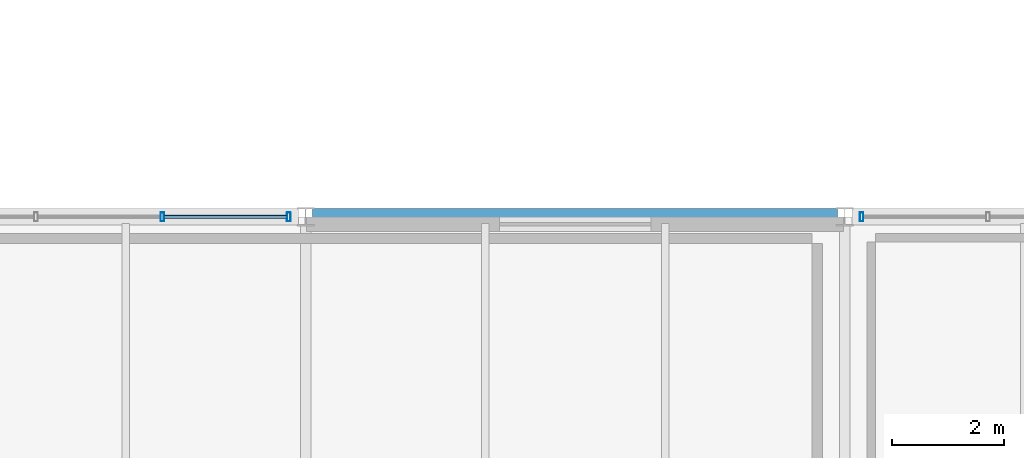
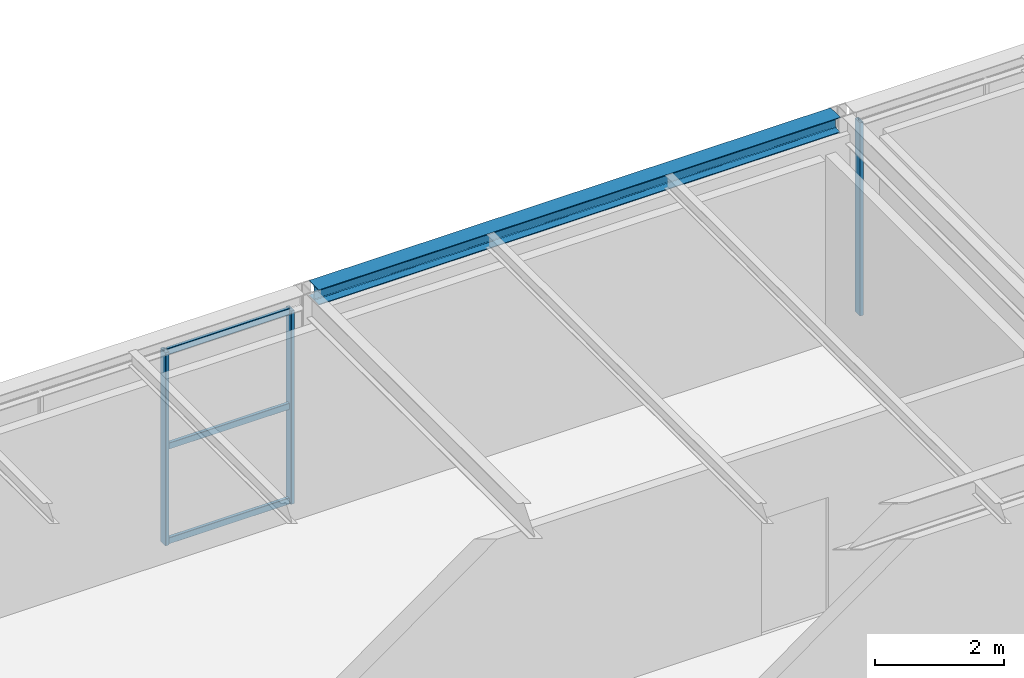
# One storey, part 36 of 50: 6 members, 1 beam, 2 elements without a shape of their own.
"""IFC4 building model written with IfcOpenShell, lengths in metres."""

import ifcopenshell
import ifcopenshell.guid

model = None  # the IFC model being written
_history = None  # IfcOwnerHistory: only IFC2X3 demands one
_inside = {}  # id of a spatial element -> (the spatial element, [elements in it])
_under = {}  # id of a project, library or spatial element -> (it, [spatial elements below it])
_declared = {}  # id of a project -> (the project, [libraries it declares])
_typed = {}  # id of a type object -> (the type object, [elements of that type])
_made_of = {}  # id of a material, layer set ... -> (it, [elements and type objects made of it])


def new_model(schema):
    """Start an empty IFC model of exactly this schema.

    Asked for "IFC4X3", IfcOpenShell would pick the latest addendum, in which some entities
    have other attributes; the version numbers below select the first issue.
    IFC2X3 requires an IfcOwnerHistory on every rooted entity: one is made here for all.
    """
    global model, _history
    if schema == "IFC4X3":
        model = ifcopenshell.file(schema_version=(4, 3, 0, 0))
    else:
        model = ifcopenshell.file(schema=schema)
    _inside.clear()
    _under.clear()
    _declared.clear()
    _typed.clear()
    _made_of.clear()
    _history = None
    if model.schema == "IFC2X3":
        org = make("IfcOrganization", Name="unknown")
        user = make(
            "IfcPersonAndOrganization",
            ThePerson=make("IfcPerson", FamilyName="unknown"),
            TheOrganization=org,
        )
        app = make(
            "IfcApplication",
            ApplicationDeveloper=org,
            Version="unknown",
            ApplicationFullName="unknown",
            ApplicationIdentifier="unknown",
        )
        _history = make(
            "IfcOwnerHistory",
            OwningUser=user,
            OwningApplication=app,
            ChangeAction="ADDED",
            CreationDate=0,
        )
    return model


def make(cls, **values):
    """One entity of the class cls with the attributes given. An attribute that is None is left unset."""
    return model.create_entity(
        cls, **{name: value for name, value in values.items() if value is not None}
    )


def rooted(cls, **values):
    """An entity with a GlobalId (a new one), such as an element, a storey or a relation."""
    return make(cls, GlobalId=ifcopenshell.guid.new(), OwnerHistory=_history, **values)


def si_unit(unit_type, name, prefix=None):
    """IfcSIUnit, for example si_unit("LENGTHUNIT", "METRE", prefix="MILLI")."""
    return make("IfcSIUnit", UnitType=unit_type, Prefix=prefix, Name=name)


def assignment(units):
    """IfcUnitAssignment: the units of a project."""
    return None if units is None else make("IfcUnitAssignment", Units=units)


def point(xyz):
    """IfcCartesianPoint."""
    return None if xyz is None else make("IfcCartesianPoint", Coordinates=xyz)


def direction(xyz):
    """IfcDirection."""
    return None if xyz is None else make("IfcDirection", DirectionRatios=xyz)


def frame(location, z_axis=None, x_axis=None):
    """IfcAxis2Placement3D, a coordinate frame: its origin and axes. An axis left out is left unset."""
    return make(
        "IfcAxis2Placement3D",
        Location=point(location),
        Axis=direction(z_axis),
        RefDirection=direction(x_axis),
    )


def frame_2d(location, x_axis=None):
    """IfcAxis2Placement2D, a coordinate frame in the plane: its origin and x axis."""
    return make(
        "IfcAxis2Placement2D", Location=point(location), RefDirection=direction(x_axis)
    )


def origin():
    """The frame at (0, 0, 0) with its axes left unset."""
    return frame((0.0, 0.0, 0.0))


def origin_2d():
    """The frame at (0, 0) in the plane with its x axis left unset."""
    return frame_2d((0.0, 0.0))


def place(relative_to, where):
    """IfcLocalPlacement: puts the frame where relative to a parent placement (None: the world)."""
    return make(
        "IfcLocalPlacement", PlacementRelTo=relative_to, RelativePlacement=where
    )


def context(
    kind, dimensions, precision=None, world=None, true_north=None, identifier=None
):
    """IfcGeometricRepresentationContext, for example the 3D "Model" context."""
    return make(
        "IfcGeometricRepresentationContext",
        ContextIdentifier=identifier,
        ContextType=kind,
        CoordinateSpaceDimension=dimensions,
        Precision=precision,
        WorldCoordinateSystem=world,
        TrueNorth=true_north,
    )


def subcontext(parent, identifier, kind, view, scale=None):
    """IfcGeometricRepresentationSubContext, for example "Body" below "Model"."""
    return make(
        "IfcGeometricRepresentationSubContext",
        ContextIdentifier=identifier,
        ContextType=kind,
        ParentContext=parent,
        TargetScale=scale,
        TargetView=view,
    )


def project(units=None, contexts=None):
    """IfcProject with its units and contexts."""
    return rooted(
        "IfcProject",
        Name="project",
        RepresentationContexts=contexts,
        UnitsInContext=assignment(units),
    )


def spatial(cls, under=None, at=None, **own):
    """A site, building, storey or space (cls), placed at a placement, below another one or the project."""
    s = rooted(cls, ObjectPlacement=at, **own)
    if under is not None:
        _under.setdefault(under.id(), (under, []))[1].append(s)
    return s


def profile(cls, at=None, kind="AREA", **sizes):
    """A parametric profile (cls). Its sizes go by their IFC names, for example OverallWidth=200.0."""
    return make(cls, ProfileType=kind, Position=at, **sizes)


def hollow_rectangle(**sizes):
    """IfcRectangleHollowProfileDef."""
    return profile("IfcRectangleHollowProfileDef", **sizes)


def i_section(**sizes):
    """IfcIShapeProfileDef."""
    return profile("IfcIShapeProfileDef", **sizes)


def extrude(swept, where, along, depth):
    """IfcExtrudedAreaSolid: the profile swept, set in the frame where, extruded along a direction by depth."""
    return make(
        "IfcExtrudedAreaSolid",
        SweptArea=swept,
        Position=where,
        ExtrudedDirection=direction(along),
        Depth=depth,
    )


def shape(context_of_items, identifier, shape_type, items):
    """IfcShapeRepresentation: the items that make up one representation, for example the "Body"."""
    return make(
        "IfcShapeRepresentation",
        ContextOfItems=context_of_items,
        RepresentationIdentifier=identifier,
        RepresentationType=shape_type,
        Items=items,
    )


def material(Name=None, Category=None):
    """IfcMaterial."""
    return make("IfcMaterial", Name=Name, Category=Category)


def material_profile(
    of_material, cross_section, Name=None, Category=None, Priority=None
):
    """IfcMaterialProfile: a cross section and its material."""
    return make(
        "IfcMaterialProfile",
        Name=Name,
        Material=of_material,
        Profile=cross_section,
        Priority=Priority,
        Category=Category,
    )


def profile_set(profiles, Name=None, composite=None):
    """IfcMaterialProfileSet."""
    return make(
        "IfcMaterialProfileSet",
        Name=Name,
        MaterialProfiles=profiles,
        CompositeProfile=composite,
    )


def made_of(thing, what):
    """Note that an element or type object is made of a material, layer set ...; save() writes the relation."""
    if what is not None:
        _made_of.setdefault(what.id(), (what, []))[1].append(thing)
    return thing


def type_object(cls, material=None, **own):
    """A type object (cls), such as IfcWallType, which elements share."""
    return made_of(rooted(cls, **own), material)


def element(
    cls,
    number,
    at=None,
    inside=None,
    cuts=None,
    type_object=None,
    material=None,
    context=None,
    identifier="Body",
    shape_type=None,
    held_by="IfcProductDefinitionShape",
    body=None,
    shapes=None,
    **own,
):
    """One element of the class cls, such as IfcWall. Its Tag is "e" and its number.

    at: its placement. inside: the storey or other place that contains it. cuts: it is an
    opening in that element (IfcRelVoidsElement). A single representation is given by context,
    identifier, shape_type and body (its items); several are given by shapes. held_by: the class
    of the entity that holds the representations. save() writes the other relations.
    """
    e = rooted(cls, Tag="e%d" % number, ObjectPlacement=at, **own)
    if body is not None:
        shapes = [shape(context, identifier, shape_type, body)]
    if shapes is not None:
        e.Representation = make(held_by, Representations=shapes)
    if inside is not None:
        _inside.setdefault(inside.id(), (inside, []))[1].append(e)
    if cuts is not None:
        rooted(
            "IfcRelVoidsElement", RelatingBuildingElement=cuts, RelatedOpeningElement=e
        )
    if type_object is not None:
        _typed.setdefault(type_object.id(), (type_object, []))[1].append(e)
    return made_of(e, material)


def aggregate(whole, parts):
    """IfcRelAggregates: a whole, such as a stair, and the parts it consists of."""
    return rooted("IfcRelAggregates", RelatingObject=whole, RelatedObjects=parts)


def save(model, path):
    """Write the relations noted so far, then the file.

    IfcRelAggregates (storeys below a building ...), IfcRelContainedInSpatialStructure (elements
    in a storey), IfcRelDefinesByType, IfcRelAssociatesMaterial and IfcRelDeclares: one each for
    every whole, place, type object, material and project.
    """
    for whole, parts in _under.values():
        aggregate(whole, parts)
    for where, things in _inside.values():
        rooted(
            "IfcRelContainedInSpatialStructure",
            RelatedElements=things,
            RelatingStructure=where,
        )
    for kind, things in _typed.values():
        rooted("IfcRelDefinesByType", RelatedObjects=things, RelatingType=kind)
    for what, things in _made_of.values():
        rooted("IfcRelAssociatesMaterial", RelatedObjects=things, RelatingMaterial=what)
    for by, libraries in _declared.values():
        rooted("IfcRelDeclares", RelatingContext=by, RelatedDefinitions=libraries)
    model.write(path)


model = new_model("IFC4")

# Units and contexts
model_context = context("Model", 3, precision=1e-05, world=origin(), true_north=direction((0.0, 1.0)))
body_context = subcontext(model_context, "Body", "Model", "MODEL_VIEW")
ifc_project = project(units=[si_unit("LENGTHUNIT", "METRE"), si_unit("AREAUNIT", "SQUARE_METRE"), si_unit("VOLUMEUNIT", "CUBIC_METRE"), si_unit("PLANEANGLEUNIT", "RADIAN"), si_unit("MASSUNIT", "GRAM", prefix="KILO")], contexts=[model_context])

# Site, building, storey
site_placement = place(None, origin())
site = spatial("IfcSite", under=ifc_project, at=site_placement, CompositionType="ELEMENT")
building_placement = place(site_placement, origin())
building = spatial("IfcBuilding", under=site, at=building_placement, Name="Coralgate Yard Interchange", CompositionType="ELEMENT")
storey_placement = place(building_placement, frame((0.0, 0.0, 14.699951171875)))
storey = spatial("IfcBuildingStorey", under=building, at=storey_placement, Name="L03", CompositionType="ELEMENT", Elevation=14.699951171875)

# Beam
ifc_material_1 = material(Name="Structural steel S355J2", Category="steel")
ifc_material_profile_1 = material_profile(ifc_material_1, i_section(OverallWidth=0.300048828125, OverallDepth=0.2900390625, WebThickness=0.008544921875, FlangeThickness=0.013916015625, FilletRadius=0.027099609375, at=origin_2d()), Name="HEA 300")
ifc_profile_set_1 = profile_set([ifc_material_profile_1], Name="Structural steel S355J2")
beam_type = type_object("IfcBeamType", Name="BM-SP-2", PredefinedType="SPANDREL", material=ifc_profile_set_1)
beam_placement = place(storey_placement, frame((67.32568359375, 19.199951171875, 3.804931640625), z_axis=(1.0, 0.0, 0.0), x_axis=(0.0, 1.0, 0.0)))
element("IfcBeam", 1, at=beam_placement, inside=storey, type_object=beam_type, Name="L03 primary grid beam Y2 X7-8", PredefinedType="SPANDREL", context=body_context, shape_type="SweptSolid", body=[
    extrude(i_section(OverallWidth=0.300048828125, OverallDepth=0.2900390625, WebThickness=0.008544921875, FlangeThickness=0.013916015625, FilletRadius=0.027099609375, at=origin_2d()), origin(), (0.0, 0.0, 1.0), 9.3486328125),
])

# Curtain wall, members
ifc_material_2 = material(Name="Anodised coastal aluminium and solar-control low-E glass", Category="aluminium")
curtain_wall_type = type_object("IfcCurtainWallType", Name="CW-CW-L03-A", PredefinedType="NOTDEFINED", material=ifc_material_2)
curtain_wall_1_placement = place(storey_placement, origin())
curtain_wall_1 = element("IfcCurtainWall", 2, at=curtain_wall_1_placement, inside=storey, type_object=curtain_wall_type, Name="L03 unitised curtain wall CW-L03-N-06-01", PredefinedType="NOTDEFINED")
ifc_material_3 = material(Name="Anodised coastal aluminium 6063-T6", Category="aluminium")
ifc_material_profile_2 = material_profile(ifc_material_3, hollow_rectangle(XDim=0.06494140625, YDim=0.159912109375, WallThickness=0.00390625, InnerFilletRadius=0.00390625, OuterFilletRadius=0.008056640625, at=origin_2d()), Name="ALU 65x160x4")
ifc_profile_set_2 = profile_set([ifc_material_profile_2], Name="Anodised coastal aluminium 6063-T6")
member_type_1 = type_object("IfcMemberType", Name="MB-MUL-160", PredefinedType="MULLION", material=ifc_profile_set_2)
member_1_placement = place(storey_placement, frame((64.64990234375, 19.199951171875, 0.0), z_axis=(0.0, 0.0, 1.0), x_axis=(1.0, 0.0, 0.0)))
member_1 = element("IfcMember", 3, at=member_1_placement, type_object=member_type_1, Name="CW-L03-N-06-01 vertical mullion 4", PredefinedType="MULLION", context=body_context, shape_type="SweptSolid", body=[
    extrude(hollow_rectangle(XDim=0.06494140625, YDim=0.159912109375, WallThickness=0.00390625, InnerFilletRadius=0.00390625, OuterFilletRadius=0.008056640625, at=origin_2d()), origin(), (0.0, 0.0, 1.0), 3.66015625),
])
member_2_placement = place(storey_placement, frame((66.89990234375, 19.199951171875, 0.0), z_axis=(0.0, 0.0, 1.0), x_axis=(1.0, 0.0, 0.0)))
member_2 = element("IfcMember", 4, at=member_2_placement, type_object=member_type_1, Name="CW-L03-N-06-01 vertical mullion 5", PredefinedType="MULLION", context=body_context, shape_type="SweptSolid", body=[
    extrude(hollow_rectangle(XDim=0.06494140625, YDim=0.159912109375, WallThickness=0.00390625, InnerFilletRadius=0.00390625, OuterFilletRadius=0.008056640625, at=origin_2d()), origin(), (0.0, 0.0, 1.0), 3.66015625),
])

# Curtain wall, member
curtain_wall_2_placement = place(storey_placement, origin())
curtain_wall_2 = element("IfcCurtainWall", 5, at=curtain_wall_2_placement, inside=storey, type_object=curtain_wall_type, Name="L03 unitised curtain wall CW-L03-N-08-01", PredefinedType="NOTDEFINED")
member_3_placement = place(storey_placement, frame((77.10009765625, 19.199951171875, 0.0), z_axis=(0.0, 0.0, 1.0), x_axis=(1.0, 0.0, 0.0)))
member_3 = element("IfcMember", 6, at=member_3_placement, type_object=member_type_1, Name="CW-L03-N-08-01 vertical mullion 1", PredefinedType="MULLION", context=body_context, shape_type="SweptSolid", body=[
    extrude(hollow_rectangle(XDim=0.06494140625, YDim=0.159912109375, WallThickness=0.00390625, InnerFilletRadius=0.00390625, OuterFilletRadius=0.008056640625, at=origin_2d()), origin(), (0.0, 0.0, 1.0), 3.66015625),
])
aggregate(curtain_wall_2, [member_3])

# Member
ifc_material_profile_3 = material_profile(ifc_material_3, hollow_rectangle(XDim=0.06005859375, YDim=0.1201171875, WallThickness=0.00341796875, InnerFilletRadius=0.00341796875, OuterFilletRadius=0.007080078125, at=origin_2d()), Name="ALU 60x120x3.5")
ifc_profile_set_3 = profile_set([ifc_material_profile_3], Name="Anodised coastal aluminium 6063-T6")
member_type_2 = type_object("IfcMemberType", Name="MB-TRN-120", PredefinedType="USERDEFINED", material=ifc_profile_set_3)
member_4_placement = place(storey_placement, frame((64.679931640625, 19.199951171875, 0.03515625), z_axis=(1.0, 0.0, 0.0), x_axis=(0.0, 1.0, 0.0)))
member_4 = element("IfcMember", 7, at=member_4_placement, type_object=member_type_2, Name="CW-L03-N-06-01 horizontal transom 4-1", ObjectType="TRANSOM", PredefinedType="USERDEFINED", context=body_context, shape_type="SweptSolid", body=[
    extrude(hollow_rectangle(XDim=0.06005859375, YDim=0.1201171875, WallThickness=0.00341796875, InnerFilletRadius=0.00341796875, OuterFilletRadius=0.007080078125, at=origin_2d()), origin(), (0.0, 0.0, 1.0), 2.190185546875),
])

member_5_placement = place(storey_placement, frame((64.679931640625, 19.199951171875, 1.830078125), z_axis=(1.0, 0.0, 0.0), x_axis=(0.0, 1.0, 0.0)))
member_5 = element("IfcMember", 8, at=member_5_placement, type_object=member_type_2, Name="CW-L03-N-06-01 horizontal transom 4-2", ObjectType="TRANSOM", PredefinedType="USERDEFINED", context=body_context, shape_type="SweptSolid", body=[
    extrude(hollow_rectangle(XDim=0.06005859375, YDim=0.1201171875, WallThickness=0.00341796875, InnerFilletRadius=0.00341796875, OuterFilletRadius=0.007080078125, at=origin_2d()), origin(), (0.0, 0.0, 1.0), 2.190185546875),
])

member_6_placement = place(storey_placement, frame((64.679931640625, 19.199951171875, 3.625), z_axis=(1.0, 0.0, 0.0), x_axis=(0.0, 1.0, 0.0)))
member_6 = element("IfcMember", 9, at=member_6_placement, type_object=member_type_2, Name="CW-L03-N-06-01 horizontal transom 4-3", ObjectType="TRANSOM", PredefinedType="USERDEFINED", context=body_context, shape_type="SweptSolid", body=[
    extrude(hollow_rectangle(XDim=0.06005859375, YDim=0.1201171875, WallThickness=0.00341796875, InnerFilletRadius=0.00341796875, OuterFilletRadius=0.007080078125, at=origin_2d()), origin(), (0.0, 0.0, 1.0), 2.190185546875),
])

aggregate(curtain_wall_1, [member_1, member_2, member_4, member_5, member_6])

save(model, "model.ifc")
